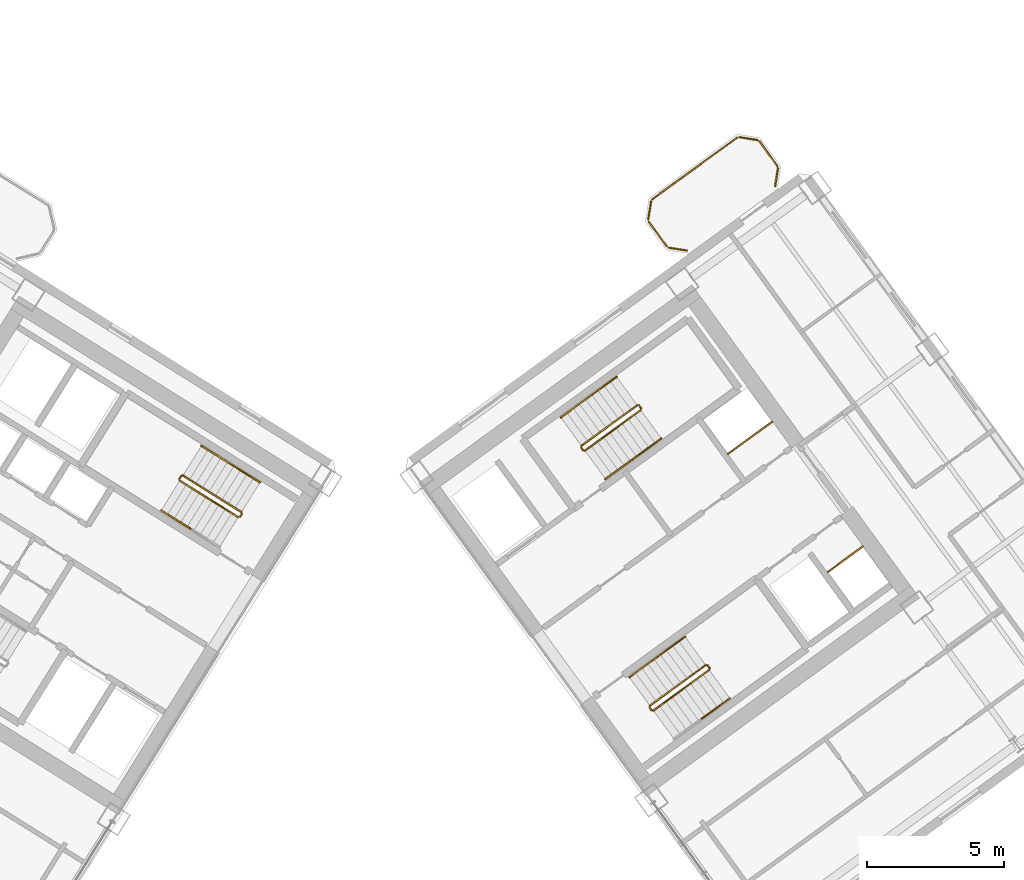
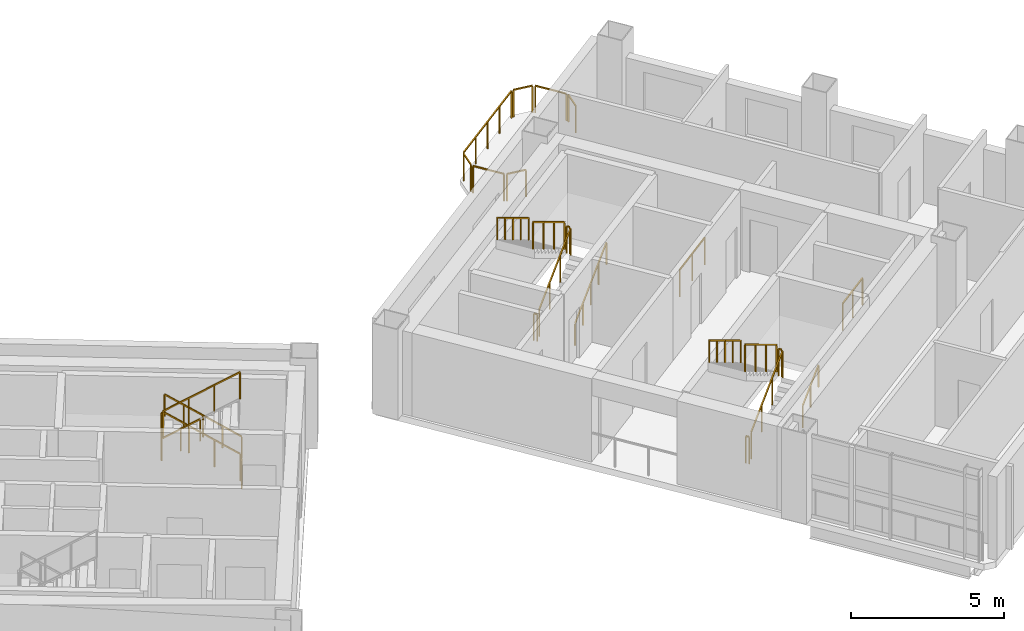
# One storey, part 17 of 18: 31 railings.
"""IFC4 building model written with IfcOpenShell, lengths in metres."""

from ifc_helpers import new_model, si_unit, direction, frame, origin, origin_2d, place, context, subcontext, project, spatial, rectangle, extrude, source, transform, mapped, material, type_object, element, save


model = new_model("IFC4")

# Units and contexts
model_context = context("Model", 3, precision=1e-05, world=origin(), true_north=direction((0.0, 1.0)))
body_context = subcontext(model_context, "Body", "Model", "MODEL_VIEW")
ifc_project = project(units=[si_unit("LENGTHUNIT", "METRE"), si_unit("AREAUNIT", "SQUARE_METRE"), si_unit("VOLUMEUNIT", "CUBIC_METRE"), si_unit("PLANEANGLEUNIT", "RADIAN"), si_unit("MASSUNIT", "GRAM", prefix="KILO")], contexts=[model_context])

# Site, building, storey
site_placement = place(None, origin())
site = spatial("IfcSite", under=ifc_project, at=site_placement, CompositionType="ELEMENT")
building_placement = place(site_placement, origin())
building = spatial("IfcBuilding", under=site, at=building_placement, Name="Tlacorven Tower", CompositionType="ELEMENT")
storey_placement = place(building_placement, frame((0.0, 0.0, 132.60009765625)))
storey = spatial("IfcBuildingStorey", under=building, at=storey_placement, Name="L33", CompositionType="ELEMENT", Elevation=132.60009765625)

# Railings
ifc_material = material(Name="Aluminium and painted steel balustrade", Category="steel")
railing_type_1 = type_object("IfcRailingType", Name="RL-GRD-1100", PredefinedType="GUARDRAIL", material=ifc_material)
shared_shape_1 = source(origin(), body_context, "Body", "SweptSolid", [
    extrude(rectangle(XDim=0.048095703125, YDim=0.048095703125, at=origin_2d()), frame((0.0, 0.0, 1.076171875), z_axis=(0.808947177504, 0.587881334972, 0.0), x_axis=(-0.587881334972, 0.808947177504, 0.0)), (0.0, 0.0, 1.0), 2.0),
    extrude(rectangle(XDim=0.0419921875, YDim=0.0419921875, at=origin_2d()), origin(), (0.0, 0.0, 1.0), 1.052001953125),
    extrude(rectangle(XDim=0.0419921875, YDim=0.0419921875, at=origin_2d()), frame((0.80908203125, 0.587890625, 0.0)), (0.0, 0.0, 1.0), 1.052001953125),
    extrude(rectangle(XDim=0.0419921875, YDim=0.0419921875, at=origin_2d()), frame((1.617919921875, 1.17578125, 0.0)), (0.0, 0.0, 1.0), 1.052001953125),
])
railing_1_placement = place(storey_placement, frame((55.506103515625, 25.438232421875, 0.0)))
element("IfcRailing", 1, at=railing_1_placement, inside=storey, type_object=railing_type_1, Name="L33 Electrical Riser E Shaft Guard 1", PredefinedType="GUARDRAIL", context=body_context, shape_type="MappedRepresentation", body=[
    mapped(shared_shape_1, transform((0.0, 0.0, 0.0), scale=1.0)),
])
shared_shape_2 = source(origin(), body_context, "Body", "SweptSolid", [
    extrude(rectangle(XDim=0.048095703125, YDim=0.048095703125, at=origin_2d()), frame((0.0, 0.0, 1.076171875), z_axis=(0.809029975545, 0.58776738483, 0.0), x_axis=(-0.58776738483, 0.809029975545, 0.0)), (0.0, 0.0, 1.0), 1.580078125),
    extrude(rectangle(XDim=0.0419921875, YDim=0.0419921875, at=origin_2d()), origin(), (0.0, 0.0, 1.0), 1.052001953125),
    extrude(rectangle(XDim=0.0419921875, YDim=0.0419921875, at=origin_2d()), frame((0.63916015625, 0.46435546875, 0.0)), (0.0, 0.0, 1.0), 1.052001953125),
    extrude(rectangle(XDim=0.0419921875, YDim=0.0419921875, at=origin_2d()), frame((1.2783203125, 0.9287109375, 0.0)), (0.0, 0.0, 1.0), 1.052001953125),
])
railing_2_placement = place(storey_placement, frame((59.160888671875, 21.122314453125, 0.0)))
element("IfcRailing", 2, at=railing_2_placement, inside=storey, type_object=railing_type_1, Name="L33 Smoke Riser E Shaft Guard 1", PredefinedType="GUARDRAIL", context=body_context, shape_type="MappedRepresentation", body=[
    mapped(shared_shape_2, transform((0.0, 0.0, 0.0), scale=1.0)),
])
railing_type_2 = type_object("IfcRailingType", Name="RL-BAL-1100", PredefinedType="BALUSTRADE", material=ifc_material)
shared_shape_3 = source(origin(), body_context, "Body", "SweptSolid", [
    extrude(rectangle(XDim=0.048095703125, YDim=0.048095703125, at=origin_2d()), frame((0.0, 0.0, 1.076171875), z_axis=(0.58788449985, -0.808944877501, 0.0), x_axis=(0.808944877501, 0.58788449985, 0.0)), (0.0, 0.0, 1.0), 1.112060546875),
    extrude(rectangle(XDim=0.0419921875, YDim=0.0419921875, at=origin_2d()), origin(), (0.0, 0.0, 1.0), 1.052001953125),
    extrude(rectangle(XDim=0.0419921875, YDim=0.0419921875, at=origin_2d()), frame((0.65380859375, -0.899658203125, 0.0)), (0.0, 0.0, 1.0), 1.052001953125),
])
railing_3_placement = place(storey_placement, frame((56.658447265625, 36.866943359375, 0.0)))
element("IfcRailing", 3, at=railing_3_placement, inside=storey, type_object=railing_type_2, Name="BAL-L33-E-IN Guard Railing 6", PredefinedType="BALUSTRADE", context=body_context, shape_type="MappedRepresentation", body=[
    mapped(shared_shape_3, transform((0.0, 0.0, 0.0), scale=1.0)),
])
shared_shape_4 = source(origin(), body_context, "Body", "SweptSolid", [
    extrude(rectangle(XDim=0.048095703125, YDim=0.048095703125, at=origin_2d()), frame((0.0, 0.0, 1.076171875), z_axis=(-0.987718317463, 0.156245081039, 0.0), x_axis=(-0.156245081039, -0.987718317463, 0.0)), (0.0, 0.0, 1.0), 0.66552734375),
    extrude(rectangle(XDim=0.0419921875, YDim=0.0419921875, at=origin_2d()), origin(), (0.0, 0.0, 1.0), 1.052001953125),
    extrude(rectangle(XDim=0.0419921875, YDim=0.0419921875, at=origin_2d()), frame((-0.657470703125, 0.10400390625, 0.0)), (0.0, 0.0, 1.0), 1.052001953125),
])
railing_4_placement = place(storey_placement, frame((54.00341796875, 32.8759765625, 0.0)))
element("IfcRailing", 4, at=railing_4_placement, inside=storey, type_object=railing_type_2, Name="BAL-L33-E-IN Guard Railing 1", PredefinedType="BALUSTRADE", context=body_context, shape_type="MappedRepresentation", body=[
    mapped(shared_shape_4, transform((0.0, 0.0, 0.0), scale=1.0)),
])
shared_shape_5 = source(origin(), body_context, "Body", "SweptSolid", [
    extrude(rectangle(XDim=0.048095703125, YDim=0.048095703125, at=origin_2d()), frame((0.0, 0.0, 1.076171875), z_axis=(-0.587740817519, 0.809049276263, 0.0), x_axis=(-0.809049276263, -0.587740817519, 0.0)), (0.0, 0.0, 1.0), 1.112060546875),
    extrude(rectangle(XDim=0.0419921875, YDim=0.0419921875, at=origin_2d()), origin(), (0.0, 0.0, 1.0), 1.052001953125),
    extrude(rectangle(XDim=0.0419921875, YDim=0.0419921875, at=origin_2d()), frame((-0.653564453125, 0.899658203125, 0.0)), (0.0, 0.0, 1.0), 1.052001953125),
])
railing_5_placement = place(storey_placement, frame((53.26708984375, 33.0283203125, 0.0)))
element("IfcRailing", 5, at=railing_5_placement, inside=storey, type_object=railing_type_2, Name="BAL-L33-E-IN Guard Railing 2", PredefinedType="BALUSTRADE", context=body_context, shape_type="MappedRepresentation", body=[
    mapped(shared_shape_5, transform((0.0, 0.0, 0.0), scale=1.0)),
])
shared_shape_6 = source(origin(), body_context, "Body", "SweptSolid", [
    extrude(rectangle(XDim=0.048095703125, YDim=0.048095703125, at=origin_2d()), frame((0.0, 0.0, 1.076171875), z_axis=(0.156546163506, 0.987670642822, 0.0), x_axis=(-0.987670642822, 0.156546163506, 0.0)), (0.0, 0.0, 1.0), 0.666015625),
    extrude(rectangle(XDim=0.0419921875, YDim=0.0419921875, at=origin_2d()), origin(), (0.0, 0.0, 1.0), 1.052001953125),
    extrude(rectangle(XDim=0.0419921875, YDim=0.0419921875, at=origin_2d()), frame((0.104248046875, 0.65771484375, 0.0)), (0.0, 0.0, 1.0), 1.052001953125),
])
railing_6_placement = place(storey_placement, frame((52.591796875, 34.017822265625, 0.0)))
element("IfcRailing", 6, at=railing_6_placement, inside=storey, type_object=railing_type_2, Name="BAL-L33-E-IN Guard Railing 3", PredefinedType="BALUSTRADE", context=body_context, shape_type="MappedRepresentation", body=[
    mapped(shared_shape_6, transform((0.0, 0.0, 0.0), scale=1.0)),
])
shared_shape_7 = source(origin(), body_context, "Body", "SweptSolid", [
    extrude(rectangle(XDim=0.048095703125, YDim=0.048095703125, at=origin_2d()), frame((0.0, 0.0, 1.076171875), z_axis=(0.809040198054, 0.587753313843, 0.0), x_axis=(-0.587753313843, 0.809040198054, 0.0)), (0.0, 0.0, 1.0), 3.8173828125),
    extrude(rectangle(XDim=0.0419921875, YDim=0.0419921875, at=origin_2d()), origin(), (0.0, 0.0, 1.0), 1.052001953125),
    extrude(rectangle(XDim=0.0419921875, YDim=0.0419921875, at=origin_2d()), frame((0.77197265625, 0.56103515625, 0.0)), (0.0, 0.0, 1.0), 1.052001953125),
    extrude(rectangle(XDim=0.0419921875, YDim=0.0419921875, at=origin_2d()), frame((1.544189453125, 1.121826171875, 0.0)), (0.0, 0.0, 1.0), 1.052001953125),
    extrude(rectangle(XDim=0.0419921875, YDim=0.0419921875, at=origin_2d()), frame((2.31640625, 1.6826171875, 0.0)), (0.0, 0.0, 1.0), 1.052001953125),
    extrude(rectangle(XDim=0.0419921875, YDim=0.0419921875, at=origin_2d()), frame((3.08837890625, 2.24365234375, 0.0)), (0.0, 0.0, 1.0), 1.052001953125),
])
railing_7_placement = place(storey_placement, frame((52.744140625, 34.754150390625, 0.0)))
element("IfcRailing", 7, at=railing_7_placement, inside=storey, type_object=railing_type_2, Name="BAL-L33-E-IN Guard Railing 4", PredefinedType="BALUSTRADE", context=body_context, shape_type="MappedRepresentation", body=[
    mapped(shared_shape_7, transform((0.0, 0.0, 0.0), scale=1.0)),
])
shared_shape_8 = source(origin(), body_context, "Body", "SweptSolid", [
    extrude(rectangle(XDim=0.048095703125, YDim=0.048095703125, at=origin_2d()), frame((0.0, 0.0, 1.076171875), z_axis=(0.987670642822, -0.156546163506, 0.0), x_axis=(0.156546163506, 0.987670642822, 0.0)), (0.0, 0.0, 1.0), 0.666015625),
    extrude(rectangle(XDim=0.0419921875, YDim=0.0419921875, at=origin_2d()), origin(), (0.0, 0.0, 1.0), 1.052001953125),
    extrude(rectangle(XDim=0.0419921875, YDim=0.0419921875, at=origin_2d()), frame((0.65771484375, -0.104248046875, 0.0)), (0.0, 0.0, 1.0), 1.052001953125),
])
railing_8_placement = place(storey_placement, frame((55.922119140625, 37.01953125, 0.0)))
element("IfcRailing", 8, at=railing_8_placement, inside=storey, type_object=railing_type_2, Name="BAL-L33-E-IN Guard Railing 5", PredefinedType="BALUSTRADE", context=body_context, shape_type="MappedRepresentation", body=[
    mapped(shared_shape_8, transform((0.0, 0.0, 0.0), scale=1.0)),
])
shared_shape_9 = source(origin(), body_context, "Body", "SweptSolid", [
    extrude(rectangle(XDim=0.048095703125, YDim=0.048095703125, at=origin_2d()), frame((0.0, 0.0, 1.076171875), z_axis=(-0.156245081039, -0.987718317463, 0.0), x_axis=(0.987718317463, -0.156245081039, 0.0)), (0.0, 0.0, 1.0), 0.66552734375),
    extrude(rectangle(XDim=0.0419921875, YDim=0.0419921875, at=origin_2d()), origin(), (0.0, 0.0, 1.0), 1.052001953125),
    extrude(rectangle(XDim=0.0419921875, YDim=0.0419921875, at=origin_2d()), frame((-0.10400390625, -0.657470703125, 0.0)), (0.0, 0.0, 1.0), 1.052001953125),
])
railing_9_placement = place(storey_placement, frame((57.333740234375, 35.87744140625, 0.0)))
element("IfcRailing", 9, at=railing_9_placement, inside=storey, type_object=railing_type_2, Name="BAL-L33-E-IN Guard Railing 7", PredefinedType="BALUSTRADE", context=body_context, shape_type="MappedRepresentation", body=[
    mapped(shared_shape_9, transform((0.0, 0.0, 0.0), scale=1.0)),
])
shared_shape_10 = source(origin(), body_context, "Body", "SweptSolid", [
    extrude(rectangle(XDim=0.048095703125, YDim=0.048095703125, at=origin_2d()), frame((0.0, 0.0, 1.076171875), z_axis=(-0.530546985787, -0.847655529016, 0.0), x_axis=(0.847655529016, -0.530546985787, 0.0)), (0.0, 0.0, 1.0), 0.1201171875),
    extrude(rectangle(XDim=0.0419921875, YDim=0.0419921875, at=origin_2d()), origin(), (0.0, 0.0, 1.0), 1.052001953125),
    extrude(rectangle(XDim=0.0419921875, YDim=0.0419921875, at=origin_2d()), frame((-0.063720703125, -0.101806640625, 0.0)), (0.0, 0.0, 1.0), 1.052001953125),
])
railing_10_placement = place(storey_placement, frame((37.728271484375, 23.24072265625, 0.0)))
element("IfcRailing", 10, at=railing_10_placement, inside=storey, type_object=railing_type_1, Name="L33 ST-W2 stair guard 4", PredefinedType="GUARDRAIL", context=body_context, shape_type="MappedRepresentation", body=[
    mapped(shared_shape_10, transform((0.0, 0.0, 0.0), scale=1.0)),
])
railing_type_3 = type_object("IfcRailingType", Name="RL-HND-0900", PredefinedType="HANDRAIL", material=ifc_material)
shared_shape_11 = source(origin(), body_context, "Body", "SweptSolid", [
    extrude(rectangle(XDim=0.048095703125, YDim=0.048095703125, at=origin_2d()), frame((0.0, 0.0, 0.8759765625), z_axis=(-0.713359751793, 0.4457479829, 0.540764828981), x_axis=(-0.529911857636, -0.848052724267, 0.0)), (0.0, 0.0, 1.0), 1.498046875),
    extrude(rectangle(XDim=0.0419921875, YDim=0.0419921875, at=origin_2d()), origin(), (0.0, 0.0, 1.0), 0.851806640625),
    extrude(rectangle(XDim=0.0419921875, YDim=0.0419921875, at=origin_2d()), frame((-0.5341796875, 0.333984375, 0.405029296875)), (0.0, 0.0, 1.0), 0.851806640625),
    extrude(rectangle(XDim=0.0419921875, YDim=0.0419921875, at=origin_2d()), frame((-1.068603515625, 0.667724609375, 0.81005859375)), (0.0, 0.0, 1.0), 0.851806640625),
])
railing_11_placement = place(storey_placement, frame((38.390625, 24.39501953125, 0.179931640625)))
element("IfcRailing", 11, at=railing_11_placement, inside=storey, type_object=railing_type_3, Name="L33 ST-W2 stair handrail 1", PredefinedType="HANDRAIL", context=body_context, shape_type="MappedRepresentation", body=[
    mapped(shared_shape_11, transform((0.0, 0.0, 0.0), scale=1.0)),
])
shared_shape_12 = source(origin(), body_context, "Body", "SweptSolid", [
    extrude(rectangle(XDim=0.048095703125, YDim=0.048095703125, at=origin_2d()), frame((0.0, 0.0, 1.076171875), z_axis=(-0.713351164325, 0.445793541512, 0.540738601085), x_axis=(-0.529955395941, -0.84802551749, 0.0)), (0.0, 0.0, 1.0), 2.99560546875),
    extrude(rectangle(XDim=0.0419921875, YDim=0.0419921875, at=origin_2d()), origin(), (0.0, 0.0, 1.0), 1.052001953125),
    extrude(rectangle(XDim=0.0419921875, YDim=0.0419921875, at=origin_2d()), frame((-0.71240234375, 0.445068359375, 0.5400390625)), (0.0, 0.0, 1.0), 1.052001953125),
    extrude(rectangle(XDim=0.0419921875, YDim=0.0419921875, at=origin_2d()), frame((-1.424560546875, 0.890380859375, 1.079833984375)), (0.0, 0.0, 1.0), 1.052001953125),
    extrude(rectangle(XDim=0.0419921875, YDim=0.0419921875, at=origin_2d()), frame((-2.136962890625, 1.33544921875, 1.619873046875)), (0.0, 0.0, 1.0), 1.052001953125),
])
railing_12_placement = place(storey_placement, frame((37.712158203125, 23.3095703125, 0.179931640625)))
element("IfcRailing", 12, at=railing_12_placement, inside=storey, type_object=railing_type_1, Name="L33 ST-W2 stair guard 1", PredefinedType="GUARDRAIL", context=body_context, shape_type="MappedRepresentation", body=[
    mapped(shared_shape_12, transform((0.0, 0.0, 0.0), scale=1.0)),
])
shared_shape_13 = source(origin(), body_context, "Body", "SweptSolid", [
    extrude(rectangle(XDim=0.048095703125, YDim=0.048095703125, at=origin_2d()), frame((0.0, 0.0, 0.8759765625), z_axis=(-0.713422621445, 0.445787267455, 0.540649494022), x_axis=(-0.529911857636, -0.848052724267, 0.0)), (0.0, 0.0, 1.0), 1.497802734375),
    extrude(rectangle(XDim=0.0419921875, YDim=0.0419921875, at=origin_2d()), origin(), (0.0, 0.0, 1.0), 0.851806640625),
    extrude(rectangle(XDim=0.0419921875, YDim=0.0419921875, at=origin_2d()), frame((-0.5341796875, 0.333984375, 0.40478515625)), (0.0, 0.0, 1.0), 0.851806640625),
    extrude(rectangle(XDim=0.0419921875, YDim=0.0419921875, at=origin_2d()), frame((-1.068603515625, 0.667724609375, 0.809814453125)), (0.0, 0.0, 1.0), 0.851806640625),
])
railing_13_placement = place(storey_placement, frame((37.322021484375, 25.062744140625, 0.989990234375)))
element("IfcRailing", 13, at=railing_13_placement, inside=storey, type_object=railing_type_3, Name="L33 ST-W2 stair handrail 2", PredefinedType="HANDRAIL", context=body_context, shape_type="MappedRepresentation", body=[
    mapped(shared_shape_13, transform((0.0, 0.0, 0.0), scale=1.0)),
])
shared_shape_14 = source(origin(), body_context, "Body", "SweptSolid", [
    extrude(rectangle(XDim=0.048095703125, YDim=0.048095703125, at=origin_2d()), frame((0.0, 0.0, 0.8759765625), z_axis=(0.713422621445, -0.445787267455, 0.540649494022), x_axis=(0.529911857636, 0.848052724267, 0.0)), (0.0, 0.0, 1.0), 1.497802734375),
    extrude(rectangle(XDim=0.0419921875, YDim=0.0419921875, at=origin_2d()), origin(), (0.0, 0.0, 1.0), 0.851806640625),
    extrude(rectangle(XDim=0.0419921875, YDim=0.0419921875, at=origin_2d()), frame((0.5341796875, -0.333984375, 0.40478515625)), (0.0, 0.0, 1.0), 0.851806640625),
    extrude(rectangle(XDim=0.0419921875, YDim=0.0419921875, at=origin_2d()), frame((1.068603515625, -0.667724609375, 0.809814453125)), (0.0, 0.0, 1.0), 0.851806640625),
])
railing_14_placement = place(storey_placement, frame((34.7802734375, 23.372802734375, 1.97998046875)))
element("IfcRailing", 14, at=railing_14_placement, inside=storey, type_object=railing_type_3, Name="L33 ST-W2 stair handrail 3", PredefinedType="HANDRAIL", context=body_context, shape_type="MappedRepresentation", body=[
    mapped(shared_shape_14, transform((0.0, 0.0, 0.0), scale=1.0)),
])
shared_shape_15 = source(origin(), body_context, "Body", "SweptSolid", [
    extrude(rectangle(XDim=0.048095703125, YDim=0.048095703125, at=origin_2d()), frame((0.0, 0.0, 1.076171875), z_axis=(-0.531462422766, -0.847081869236, 0.0), x_axis=(0.847081869236, -0.531462422766, 0.0)), (0.0, 0.0, 1.0), 0.119873046875),
    extrude(rectangle(XDim=0.0419921875, YDim=0.0419921875, at=origin_2d()), origin(), (0.0, 0.0, 1.0), 1.052001953125),
    extrude(rectangle(XDim=0.0419921875, YDim=0.0419921875, at=origin_2d()), frame((-0.063720703125, -0.1015625, 0.0)), (0.0, 0.0, 1.0), 1.052001953125),
])
railing_15_placement = place(storey_placement, frame((35.50634765625, 24.62890625, 1.7998046875)))
element("IfcRailing", 15, at=railing_15_placement, inside=storey, type_object=railing_type_1, Name="L33 ST-W2 stair guard 2", PredefinedType="GUARDRAIL", context=body_context, shape_type="MappedRepresentation", body=[
    mapped(shared_shape_15, transform((0.0, 0.0, 0.0), scale=1.0)),
])
shared_shape_16 = source(origin(), body_context, "Body", "SweptSolid", [
    extrude(rectangle(XDim=0.048095703125, YDim=0.048095703125, at=origin_2d()), frame((0.0, 0.0, 1.076171875), z_axis=(0.713417101326, -0.445702322042, 0.540726806865), x_axis=(0.52984217967, 0.848096259066, 0.0)), (0.0, 0.0, 1.0), 2.995849609375),
    extrude(rectangle(XDim=0.0419921875, YDim=0.0419921875, at=origin_2d()), origin(), (0.0, 0.0, 1.0), 1.052001953125),
    extrude(rectangle(XDim=0.0419921875, YDim=0.0419921875, at=origin_2d()), frame((0.71240234375, -0.445068359375, 0.5400390625)), (0.0, 0.0, 1.0), 1.052001953125),
    extrude(rectangle(XDim=0.0419921875, YDim=0.0419921875, at=origin_2d()), frame((1.4248046875, -0.89013671875, 1.079833984375)), (0.0, 0.0, 1.0), 1.052001953125),
    extrude(rectangle(XDim=0.0419921875, YDim=0.0419921875, at=origin_2d()), frame((2.13720703125, -1.335205078125, 1.619873046875)), (0.0, 0.0, 1.0), 1.052001953125),
])
railing_16_placement = place(storey_placement, frame((35.45849609375, 24.458251953125, 1.97998046875)))
element("IfcRailing", 16, at=railing_16_placement, inside=storey, type_object=railing_type_1, Name="L33 ST-W2 stair guard 3", PredefinedType="GUARDRAIL", context=body_context, shape_type="MappedRepresentation", body=[
    mapped(shared_shape_16, transform((0.0, 0.0, 0.0), scale=1.0)),
])
shared_shape_17 = source(origin(), body_context, "Body", "SweptSolid", [
    extrude(rectangle(XDim=0.048095703125, YDim=0.048095703125, at=origin_2d()), frame((0.0, 0.0, 1.076171875), z_axis=(-0.587567097037, 0.809175448515, 0.0), x_axis=(-0.809175448515, -0.587567097037, 0.0)), (0.0, 0.0, 1.0), 0.1201171875),
    extrude(rectangle(XDim=0.0419921875, YDim=0.0419921875, at=origin_2d()), origin(), (0.0, 0.0, 1.0), 1.052001953125),
    extrude(rectangle(XDim=0.0419921875, YDim=0.0419921875, at=origin_2d()), frame((-0.070556640625, 0.09716796875, 0.0)), (0.0, 0.0, 1.0), 1.052001953125),
])
for number, where, name in (
    (17, (54.8310546875, 17.605712890625, 1.7998046875), "L33 ST-E2 stair guard 2"),
    (18, (52.71142578125, 16.065673828125, 0.0), "L33 ST-E2 stair guard 4"),
):
    element("IfcRailing", number, at=place(storey_placement, frame(where)), inside=storey, type_object=railing_type_1, Name=name, PredefinedType="GUARDRAIL", context=body_context, shape_type="MappedRepresentation", body=[
        mapped(shared_shape_17, transform((0.0, 0.0, 0.0), scale=1.0)),
    ])
shared_shape_18 = source(origin(), body_context, "Body", "SweptSolid", [
    extrude(rectangle(XDim=0.048095703125, YDim=0.048095703125, at=origin_2d()), frame((0.0, 0.0, 1.076171875), z_axis=(-0.587201422542, 0.809440849824, 0.0), x_axis=(-0.809440849824, -0.587201422542, 0.0)), (0.0, 0.0, 1.0), 0.11962890625),
    extrude(rectangle(XDim=0.0419921875, YDim=0.0419921875, at=origin_2d()), origin(), (0.0, 0.0, 1.0), 1.052001953125),
    extrude(rectangle(XDim=0.0419921875, YDim=0.0419921875, at=origin_2d()), frame((-0.0703125, 0.096923828125, 0.0)), (0.0, 0.0, 1.0), 1.052001953125),
])
for number, where, name in (
    (19, (52.326904296875, 27.10888671875, 1.7998046875), "L33 ST-E1 stair guard 2"),
    (20, (50.207275390625, 25.56884765625, 0.0), "L33 ST-E1 stair guard 4"),
):
    element("IfcRailing", number, at=place(storey_placement, frame(where)), inside=storey, type_object=railing_type_1, Name=name, PredefinedType="GUARDRAIL", context=body_context, shape_type="MappedRepresentation", body=[
        mapped(shared_shape_18, transform((0.0, 0.0, 0.0), scale=1.0)),
    ])
shared_shape_19 = source(origin(), body_context, "Body", "SweptSolid", [
    extrude(rectangle(XDim=0.048095703125, YDim=0.048095703125, at=origin_2d()), frame((0.0, 0.0, 0.8759765625), z_axis=(0.680516055757, 0.494372502302, 0.540826891737), x_axis=(-0.587745292299, 0.809046025502, 0.0)), (0.0, 0.0, 1.0), 1.497802734375),
    extrude(rectangle(XDim=0.0419921875, YDim=0.0419921875, at=origin_2d()), origin(), (0.0, 0.0, 1.0), 0.851806640625),
    extrude(rectangle(XDim=0.0419921875, YDim=0.0419921875, at=origin_2d()), frame((0.509765625, 0.3701171875, 0.405029296875)), (0.0, 0.0, 1.0), 0.851806640625),
    extrude(rectangle(XDim=0.0419921875, YDim=0.0419921875, at=origin_2d()), frame((1.019287109375, 0.740478515625, 0.81005859375)), (0.0, 0.0, 1.0), 0.851806640625),
])
railing_17_placement = place(storey_placement, frame((51.029541015625, 24.522216796875, 0.179931640625)))
element("IfcRailing", 21, at=railing_17_placement, inside=storey, type_object=railing_type_3, Name="L33 ST-E1 stair handrail 1", PredefinedType="HANDRAIL", context=body_context, shape_type="MappedRepresentation", body=[
    mapped(shared_shape_19, transform((0.0, 0.0, 0.0), scale=1.0)),
])
shared_shape_20 = source(origin(), body_context, "Body", "SweptSolid", [
    extrude(rectangle(XDim=0.048095703125, YDim=0.048095703125, at=origin_2d()), frame((0.0, 0.0, 0.8759765625), z_axis=(-0.680461216233, -0.494495647917, 0.540783309093), x_axis=(0.587872112667, -0.808953879494, 0.0)), (0.0, 0.0, 1.0), 1.498046875),
    extrude(rectangle(XDim=0.0419921875, YDim=0.0419921875, at=origin_2d()), origin(), (0.0, 0.0, 1.0), 0.851806640625),
    extrude(rectangle(XDim=0.0419921875, YDim=0.0419921875, at=origin_2d()), frame((-0.509765625, -0.370361328125, 0.405029296875)), (0.0, 0.0, 1.0), 0.851806640625),
    extrude(rectangle(XDim=0.0419921875, YDim=0.0419921875, at=origin_2d()), frame((-1.019287109375, -0.74072265625, 0.81005859375)), (0.0, 0.0, 1.0), 0.851806640625),
])
for number, where, name in (
    (22, (50.414794921875, 27.511962890625, 2.789794921875), "L33 ST-E1 stair handrail 4"),
    (23, (52.9189453125, 18.0087890625, 2.789794921875), "L33 ST-E2 stair handrail 4"),
):
    element("IfcRailing", number, at=place(storey_placement, frame(where)), inside=storey, type_object=railing_type_3, Name=name, PredefinedType="HANDRAIL", context=body_context, shape_type="MappedRepresentation", body=[
        mapped(shared_shape_20, transform((0.0, 0.0, 0.0), scale=1.0)),
    ])
shared_shape_21 = source(origin(), body_context, "Body", "SweptSolid", [
    extrude(rectangle(XDim=0.048095703125, YDim=0.048095703125, at=origin_2d()), frame((0.0, 0.0, 1.076171875), z_axis=(0.680518627673, 0.494455869951, 0.540747436481), x_axis=(-0.5878087079, 0.808999952359, 0.0)), (0.0, 0.0, 1.0), 2.99560546875),
    extrude(rectangle(XDim=0.0419921875, YDim=0.0419921875, at=origin_2d()), origin(), (0.0, 0.0, 1.0), 1.052001953125),
    extrude(rectangle(XDim=0.0419921875, YDim=0.0419921875, at=origin_2d()), frame((0.679443359375, 0.49365234375, 0.5400390625)), (0.0, 0.0, 1.0), 1.052001953125),
    extrude(rectangle(XDim=0.0419921875, YDim=0.0419921875, at=origin_2d()), frame((1.359130859375, 0.987548828125, 1.079833984375)), (0.0, 0.0, 1.0), 1.052001953125),
    extrude(rectangle(XDim=0.0419921875, YDim=0.0419921875, at=origin_2d()), frame((2.03857421875, 1.481201171875, 1.619873046875)), (0.0, 0.0, 1.0), 1.052001953125),
])
railing_18_placement = place(storey_placement, frame((50.27734375, 25.557861328125, 0.179931640625)))
element("IfcRailing", 24, at=railing_18_placement, inside=storey, type_object=railing_type_1, Name="L33 ST-E1 stair guard 1", PredefinedType="GUARDRAIL", context=body_context, shape_type="MappedRepresentation", body=[
    mapped(shared_shape_21, transform((0.0, 0.0, 0.0), scale=1.0)),
])
shared_shape_22 = source(origin(), body_context, "Body", "SweptSolid", [
    extrude(rectangle(XDim=0.048095703125, YDim=0.048095703125, at=origin_2d()), frame((0.0, 0.0, 1.076171875), z_axis=(-0.680518627673, -0.494455869951, 0.540747436481), x_axis=(0.5878087079, -0.808999952359, 0.0)), (0.0, 0.0, 1.0), 2.99560546875),
    extrude(rectangle(XDim=0.0419921875, YDim=0.0419921875, at=origin_2d()), origin(), (0.0, 0.0, 1.0), 1.052001953125),
    extrude(rectangle(XDim=0.0419921875, YDim=0.0419921875, at=origin_2d()), frame((-0.679443359375, -0.49365234375, 0.5400390625)), (0.0, 0.0, 1.0), 1.052001953125),
    extrude(rectangle(XDim=0.0419921875, YDim=0.0419921875, at=origin_2d()), frame((-1.359130859375, -0.987548828125, 1.079833984375)), (0.0, 0.0, 1.0), 1.052001953125),
    extrude(rectangle(XDim=0.0419921875, YDim=0.0419921875, at=origin_2d()), frame((-2.03857421875, -1.481201171875, 1.619873046875)), (0.0, 0.0, 1.0), 1.052001953125),
])
railing_19_placement = place(storey_placement, frame((52.1865234375, 27.217041015625, 1.97998046875)))
element("IfcRailing", 25, at=railing_19_placement, inside=storey, type_object=railing_type_1, Name="L33 ST-E1 stair guard 3", PredefinedType="GUARDRAIL", context=body_context, shape_type="MappedRepresentation", body=[
    mapped(shared_shape_22, transform((0.0, 0.0, 0.0), scale=1.0)),
])
shared_shape_23 = source(origin(), body_context, "Body", "SweptSolid", [
    extrude(rectangle(XDim=0.048095703125, YDim=0.048095703125, at=origin_2d()), frame((0.0, 0.0, 0.8759765625), z_axis=(0.680608688748, 0.494484377792, 0.540608003012), x_axis=(-0.587779977844, 0.80902082646, 0.0)), (0.0, 0.0, 1.0), 1.498046875),
    extrude(rectangle(XDim=0.0419921875, YDim=0.0419921875, at=origin_2d()), origin(), (0.0, 0.0, 1.0), 0.851806640625),
    extrude(rectangle(XDim=0.0419921875, YDim=0.0419921875, at=origin_2d()), frame((0.509765625, 0.370361328125, 0.40478515625)), (0.0, 0.0, 1.0), 0.851806640625),
    extrude(rectangle(XDim=0.0419921875, YDim=0.0419921875, at=origin_2d()), frame((1.01953125, 0.74072265625, 0.809814453125)), (0.0, 0.0, 1.0), 0.851806640625),
])
railing_20_placement = place(storey_placement, frame((52.048828125, 25.2626953125, 0.989990234375)))
element("IfcRailing", 26, at=railing_20_placement, inside=storey, type_object=railing_type_3, Name="L33 ST-E1 stair handrail 2", PredefinedType="HANDRAIL", context=body_context, shape_type="MappedRepresentation", body=[
    mapped(shared_shape_23, transform((0.0, 0.0, 0.0), scale=1.0)),
])
shared_shape_24 = source(origin(), body_context, "Body", "SweptSolid", [
    extrude(rectangle(XDim=0.048095703125, YDim=0.048095703125, at=origin_2d()), frame((0.0, 0.0, 0.8759765625), z_axis=(-0.680663537655, -0.494361233168, 0.540651569541), x_axis=(0.587653156371, -0.809112951205, 0.0)), (0.0, 0.0, 1.0), 1.497802734375),
    extrude(rectangle(XDim=0.0419921875, YDim=0.0419921875, at=origin_2d()), origin(), (0.0, 0.0, 1.0), 0.851806640625),
    extrude(rectangle(XDim=0.0419921875, YDim=0.0419921875, at=origin_2d()), frame((-0.509765625, -0.3701171875, 0.40478515625)), (0.0, 0.0, 1.0), 0.851806640625),
    extrude(rectangle(XDim=0.0419921875, YDim=0.0419921875, at=origin_2d()), frame((-1.01953125, -0.740478515625, 0.809814453125)), (0.0, 0.0, 1.0), 0.851806640625),
])
railing_21_placement = place(storey_placement, frame((51.434326171875, 28.25244140625, 1.97998046875)))
element("IfcRailing", 27, at=railing_21_placement, inside=storey, type_object=railing_type_3, Name="L33 ST-E1 stair handrail 3", PredefinedType="HANDRAIL", context=body_context, shape_type="MappedRepresentation", body=[
    mapped(shared_shape_24, transform((0.0, 0.0, 0.0), scale=1.0)),
])
shared_shape_25 = source(origin(), body_context, "Body", "SweptSolid", [
    extrude(rectangle(XDim=0.048095703125, YDim=0.048095703125, at=origin_2d()), frame((0.0, 0.0, 0.8759765625), z_axis=(0.680576044605, 0.494416082224, 0.54071155448), x_axis=(-0.587745292299, 0.809046025502, 0.0)), (0.0, 0.0, 1.0), 1.497802734375),
    extrude(rectangle(XDim=0.0419921875, YDim=0.0419921875, at=origin_2d()), origin(), (0.0, 0.0, 1.0), 0.851806640625),
    extrude(rectangle(XDim=0.0419921875, YDim=0.0419921875, at=origin_2d()), frame((0.509765625, 0.3701171875, 0.40478515625)), (0.0, 0.0, 1.0), 0.851806640625),
    extrude(rectangle(XDim=0.0419921875, YDim=0.0419921875, at=origin_2d()), frame((1.019287109375, 0.740478515625, 0.809814453125)), (0.0, 0.0, 1.0), 0.851806640625),
])
railing_22_placement = place(storey_placement, frame((54.552978515625, 15.759765625, 0.989990234375)))
element("IfcRailing", 28, at=railing_22_placement, inside=storey, type_object=railing_type_3, Name="L33 ST-E2 stair handrail 2", PredefinedType="HANDRAIL", context=body_context, shape_type="MappedRepresentation", body=[
    mapped(shared_shape_25, transform((0.0, 0.0, 0.0), scale=1.0)),
])
shared_shape_26 = source(origin(), body_context, "Body", "SweptSolid", [
    extrude(rectangle(XDim=0.048095703125, YDim=0.048095703125, at=origin_2d()), frame((0.0, 0.0, 1.076171875), z_axis=(0.680562380517, 0.494428447203, 0.540717446381), x_axis=(-0.587762637553, 0.809033424462, 0.0)), (0.0, 0.0, 1.0), 2.995849609375),
    extrude(rectangle(XDim=0.0419921875, YDim=0.0419921875, at=origin_2d()), origin(), (0.0, 0.0, 1.0), 1.052001953125),
    extrude(rectangle(XDim=0.0419921875, YDim=0.0419921875, at=origin_2d()), frame((0.6796875, 0.49365234375, 0.5400390625)), (0.0, 0.0, 1.0), 1.052001953125),
    extrude(rectangle(XDim=0.0419921875, YDim=0.0419921875, at=origin_2d()), frame((1.359130859375, 0.987548828125, 1.079833984375)), (0.0, 0.0, 1.0), 1.052001953125),
    extrude(rectangle(XDim=0.0419921875, YDim=0.0419921875, at=origin_2d()), frame((2.038818359375, 1.481201171875, 1.619873046875)), (0.0, 0.0, 1.0), 1.052001953125),
])
railing_23_placement = place(storey_placement, frame((52.78125, 16.0546875, 0.179931640625)))
element("IfcRailing", 29, at=railing_23_placement, inside=storey, type_object=railing_type_1, Name="L33 ST-E2 stair guard 1", PredefinedType="GUARDRAIL", context=body_context, shape_type="MappedRepresentation", body=[
    mapped(shared_shape_26, transform((0.0, 0.0, 0.0), scale=1.0)),
])
shared_shape_27 = source(origin(), body_context, "Body", "SweptSolid", [
    extrude(rectangle(XDim=0.048095703125, YDim=0.048095703125, at=origin_2d()), frame((0.0, 0.0, 1.076171875), z_axis=(-0.680562380517, -0.494428447203, 0.540717446381), x_axis=(0.587762637553, -0.809033424462, 0.0)), (0.0, 0.0, 1.0), 2.995849609375),
    extrude(rectangle(XDim=0.0419921875, YDim=0.0419921875, at=origin_2d()), origin(), (0.0, 0.0, 1.0), 1.052001953125),
    extrude(rectangle(XDim=0.0419921875, YDim=0.0419921875, at=origin_2d()), frame((-0.6796875, -0.49365234375, 0.5400390625)), (0.0, 0.0, 1.0), 1.052001953125),
    extrude(rectangle(XDim=0.0419921875, YDim=0.0419921875, at=origin_2d()), frame((-1.359130859375, -0.987548828125, 1.079833984375)), (0.0, 0.0, 1.0), 1.052001953125),
    extrude(rectangle(XDim=0.0419921875, YDim=0.0419921875, at=origin_2d()), frame((-2.038818359375, -1.481201171875, 1.619873046875)), (0.0, 0.0, 1.0), 1.052001953125),
])
railing_24_placement = place(storey_placement, frame((54.690673828125, 17.7138671875, 1.97998046875)))
element("IfcRailing", 30, at=railing_24_placement, inside=storey, type_object=railing_type_1, Name="L33 ST-E2 stair guard 3", PredefinedType="GUARDRAIL", context=body_context, shape_type="MappedRepresentation", body=[
    mapped(shared_shape_27, transform((0.0, 0.0, 0.0), scale=1.0)),
])
shared_shape_28 = source(origin(), body_context, "Body", "SweptSolid", [
    extrude(rectangle(XDim=0.048095703125, YDim=0.048095703125, at=origin_2d()), frame((0.0, 0.0, 0.8759765625), z_axis=(-0.680576044605, -0.494416082224, 0.54071155448), x_axis=(0.587745292299, -0.809046025502, 0.0)), (0.0, 0.0, 1.0), 1.497802734375),
    extrude(rectangle(XDim=0.0419921875, YDim=0.0419921875, at=origin_2d()), origin(), (0.0, 0.0, 1.0), 0.851806640625),
    extrude(rectangle(XDim=0.0419921875, YDim=0.0419921875, at=origin_2d()), frame((-0.509765625, -0.3701171875, 0.40478515625)), (0.0, 0.0, 1.0), 0.851806640625),
    extrude(rectangle(XDim=0.0419921875, YDim=0.0419921875, at=origin_2d()), frame((-1.019287109375, -0.740478515625, 0.809814453125)), (0.0, 0.0, 1.0), 0.851806640625),
])
railing_25_placement = place(storey_placement, frame((53.938232421875, 18.749267578125, 1.97998046875)))
element("IfcRailing", 31, at=railing_25_placement, inside=storey, type_object=railing_type_3, Name="L33 ST-E2 stair handrail 3", PredefinedType="HANDRAIL", context=body_context, shape_type="MappedRepresentation", body=[
    mapped(shared_shape_28, transform((0.0, 0.0, 0.0), scale=1.0)),
])

save(model, "model.ifc")
